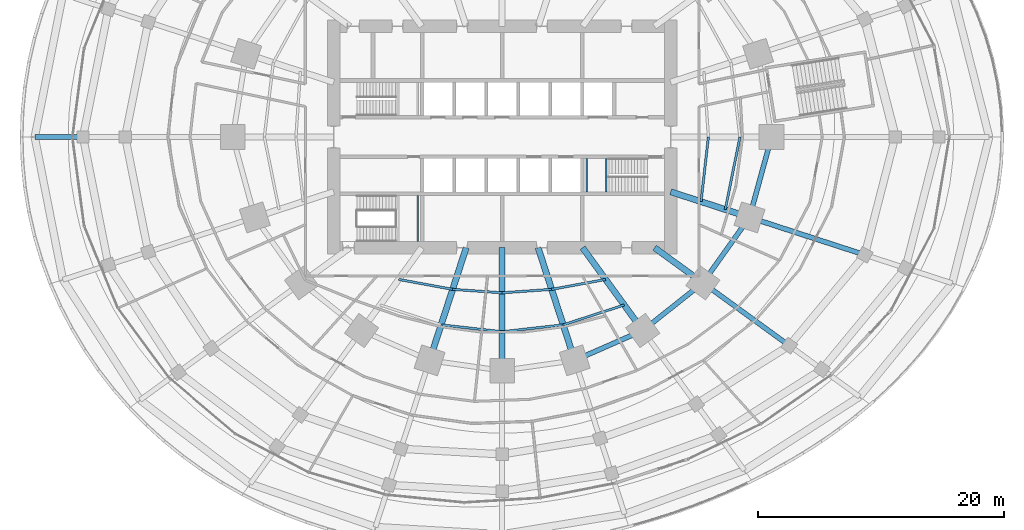
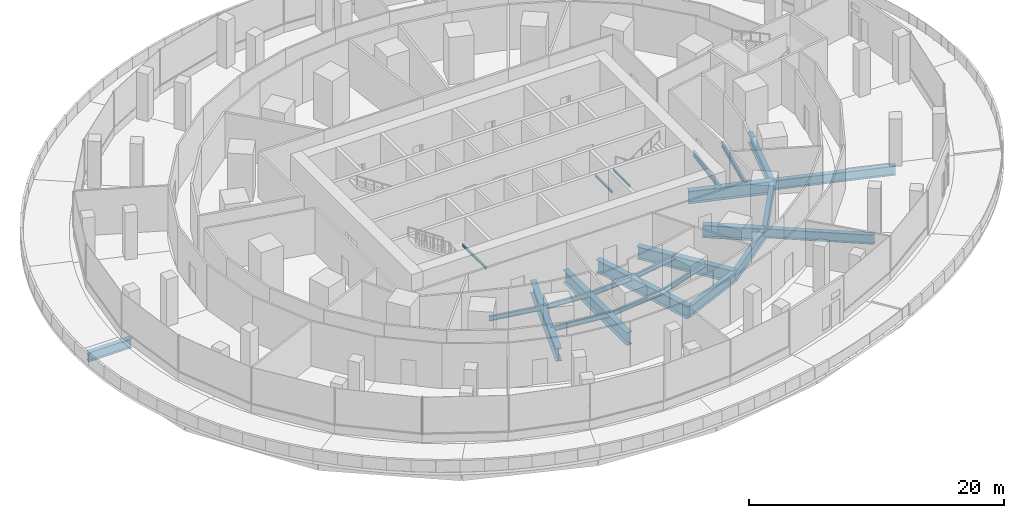
# One storey, part 7 of 27: 25 beams.
"""IFC4 building model written with IfcOpenShell, lengths in metres."""

from ifc_helpers import new_model, si_unit, direction, frame, origin, origin_2d, place, context, subcontext, project, spatial, i_section, extrude, material, material_profile, profile_set, type_object, element, save


model = new_model("IFC4")

# Units and contexts
model_context = context("Model", 3, precision=1e-05, world=origin(), true_north=direction((0.0, 1.0)))
body_context = subcontext(model_context, "Body", "Model", "MODEL_VIEW")
ifc_project = project(units=[si_unit("LENGTHUNIT", "METRE"), si_unit("AREAUNIT", "SQUARE_METRE"), si_unit("VOLUMEUNIT", "CUBIC_METRE"), si_unit("PLANEANGLEUNIT", "RADIAN"), si_unit("MASSUNIT", "GRAM", prefix="KILO")], contexts=[model_context])

# Site, building, storey
site_placement = place(None, origin())
site = spatial("IfcSite", under=ifc_project, at=site_placement, CompositionType="ELEMENT")
building_placement = place(site_placement, origin())
building = spatial("IfcBuilding", under=site, at=building_placement, Name="Marramba Exchange Tower", CompositionType="ELEMENT")
storey_placement = place(building_placement, frame((0.0, 0.0, 10.60009765625)))
storey = spatial("IfcBuildingStorey", under=building, at=storey_placement, Name="L02", CompositionType="ELEMENT", Elevation=10.60009765625)

# Beams
ifc_material_1 = material(Name="Steel AS/NZS 3679.1 grade 300", Category="steel")
ifc_material_profile_1 = material_profile(ifc_material_1, i_section(OverallWidth=0.18994140625, OverallDepth=0.4541015625, WebThickness=0.008544921875, FlangeThickness=0.0126953125, FilletRadius=0.011474609375, at=origin_2d()), Name="460UB67.1")
ifc_profile_set_1 = profile_set([ifc_material_profile_1], Name="Steel AS/NZS 3679.1 grade 300")
beam_type_1 = type_object("IfcBeamType", Name="Floor joist 460UB67.1", PredefinedType="JOIST", material=ifc_profile_set_1)
beam_1_placement = place(storey_placement, frame((-8.41162109375, -11.57763671875, -0.427001953125), z_axis=(0.983455754421, -0.181148500119, 0.0), x_axis=(0.181148500119, 0.983455754421, 0.0)))
element("IfcBeam", 1, at=beam_1_placement, inside=storey, type_object=beam_type_1, Name="Joist L02 bay 14 row 1", PredefinedType="JOIST", context=body_context, shape_type="SweptSolid", body=[
    extrude(i_section(OverallWidth=0.18994140625, OverallDepth=0.4541015625, WebThickness=0.008544921875, FlangeThickness=0.0126953125, FilletRadius=0.011474609375, at=origin_2d()), origin(), (0.0, 0.0, 1.0), 4.4609375),
])
beam_2_placement = place(storey_placement, frame((-4.0244140625, -12.3857421875, -0.427001953125), z_axis=(0.99759625901, -0.069294328838, 0.0), x_axis=(0.069294328838, 0.99759625901, 0.0)))
element("IfcBeam", 2, at=beam_2_placement, inside=storey, type_object=beam_type_1, Name="Joist L02 bay 15 row 1", PredefinedType="JOIST", context=body_context, shape_type="SweptSolid", body=[
    extrude(i_section(OverallWidth=0.18994140625, OverallDepth=0.4541015625, WebThickness=0.008544921875, FlangeThickness=0.0126953125, FilletRadius=0.011474609375, at=origin_2d()), origin(), (0.0, 0.0, 1.0), 4.0341796875),
])
beam_3_placement = place(storey_placement, frame((-4.9619140625, -15.271484375, -0.427001953125), z_axis=(0.993712018573, -0.111966174106, 0.0), x_axis=(0.111966174106, 0.993712018573, 0.0)))
element("IfcBeam", 3, at=beam_3_placement, inside=storey, type_object=beam_type_1, Name="Joist L02 bay 15 row 2", PredefinedType="JOIST", context=body_context, shape_type="SweptSolid", body=[
    extrude(i_section(OverallWidth=0.18994140625, OverallDepth=0.4541015625, WebThickness=0.008544921875, FlangeThickness=0.0126953125, FilletRadius=0.011474609375, at=origin_2d()), origin(), (0.0, 0.0, 1.0), 4.993408203125),
])
beam_4_placement = place(storey_placement, frame((0.0, -12.665283203125, -0.427001953125), z_axis=(0.99759625901, 0.069294328838, 0.0), x_axis=(-0.069294328838, 0.99759625901, 0.0)))
element("IfcBeam", 4, at=beam_4_placement, inside=storey, type_object=beam_type_1, Name="Joist L02 bay 16 row 1", PredefinedType="JOIST", context=body_context, shape_type="SweptSolid", body=[
    extrude(i_section(OverallWidth=0.18994140625, OverallDepth=0.4541015625, WebThickness=0.008544921875, FlangeThickness=0.0126953125, FilletRadius=0.011474609375, at=origin_2d()), origin(), (0.0, 0.0, 1.0), 4.0341796875),
])
beam_5_placement = place(storey_placement, frame((0.0, -15.83056640625, -0.427001953125), z_axis=(0.993712018573, 0.111966174106, 0.0), x_axis=(-0.111966174106, 0.993712018573, 0.0)))
element("IfcBeam", 5, at=beam_5_placement, inside=storey, type_object=beam_type_1, Name="Joist L02 bay 16 row 2", PredefinedType="JOIST", context=body_context, shape_type="SweptSolid", body=[
    extrude(i_section(OverallWidth=0.18994140625, OverallDepth=0.4541015625, WebThickness=0.008544921875, FlangeThickness=0.0126953125, FilletRadius=0.011474609375, at=origin_2d()), origin(), (0.0, 0.0, 1.0), 4.993408203125),
])
beam_6_placement = place(storey_placement, frame((4.0244140625, -12.3857421875, -0.427001953125), z_axis=(0.983455754421, 0.181148500119, 0.0), x_axis=(-0.181148500119, 0.983455754421, 0.0)))
element("IfcBeam", 6, at=beam_6_placement, inside=storey, type_object=beam_type_1, Name="Joist L02 bay 17 row 1", PredefinedType="JOIST", context=body_context, shape_type="SweptSolid", body=[
    extrude(i_section(OverallWidth=0.18994140625, OverallDepth=0.4541015625, WebThickness=0.008544921875, FlangeThickness=0.0126953125, FilletRadius=0.011474609375, at=origin_2d()), origin(), (0.0, 0.0, 1.0), 4.4609375),
])
beam_7_placement = place(storey_placement, frame((4.9619140625, -15.271484375, -0.427001953125), z_axis=(0.950764024931, 0.309915744834, 0.0), x_axis=(-0.309915744834, 0.950764024931, 0.0)))
element("IfcBeam", 7, at=beam_7_placement, inside=storey, type_object=beam_type_1, Name="Joist L02 bay 17 row 2", PredefinedType="JOIST", context=body_context, shape_type="SweptSolid", body=[
    extrude(i_section(OverallWidth=0.18994140625, OverallDepth=0.4541015625, WebThickness=0.008544921875, FlangeThickness=0.0126953125, FilletRadius=0.011474609375, at=origin_2d()), origin(), (0.0, 0.0, 1.0), 5.2158203125),
])
beam_8_placement = place(storey_placement, frame((16.169677734375, -5.25390625, -0.427001953125), z_axis=(0.112888968594, 0.993607609054, 0.0), x_axis=(-0.993607609054, 0.112888968594, 0.0)))
element("IfcBeam", 8, at=beam_8_placement, inside=storey, type_object=beam_type_1, Name="Joist L02 bay 20 row 1", PredefinedType="JOIST", context=body_context, shape_type="SweptSolid", body=[
    extrude(i_section(OverallWidth=0.18994140625, OverallDepth=0.4541015625, WebThickness=0.008544921875, FlangeThickness=0.0126953125, FilletRadius=0.011474609375, at=origin_2d()), origin(), (0.0, 0.0, 1.0), 5.28759765625),
])
beam_9_placement = place(storey_placement, frame((18.1396484375, -5.893798828125, -0.427001953125), z_axis=(0.198489047047, 0.980103105904, 0.0), x_axis=(-0.980103105904, 0.198489047047, 0.0)))
element("IfcBeam", 9, at=beam_9_placement, inside=storey, type_object=beam_type_1, Name="Joist L02 bay 20 row 2", PredefinedType="JOIST", context=body_context, shape_type="SweptSolid", body=[
    extrude(i_section(OverallWidth=0.18994140625, OverallDepth=0.4541015625, WebThickness=0.008544921875, FlangeThickness=0.0126953125, FilletRadius=0.011474609375, at=origin_2d()), origin(), (0.0, 0.0, 1.0), 6.013427734375),
])
ifc_material_2 = material(Name="Steel AS/NZS 3679.2 grade 300", Category="steel")
ifc_material_profile_2 = material_profile(ifc_material_2, i_section(OverallWidth=0.5, OverallDepth=1.199951171875, WebThickness=0.01611328125, FlangeThickness=0.0400390625, at=origin_2d()), Name="1200WB455")
ifc_profile_set_2 = profile_set([ifc_material_profile_2], Name="Steel AS/NZS 3679.2 grade 300")
beam_type_2 = type_object("IfcBeamType", Name="Radial girder 1200WB455", PredefinedType="BEAM", material=ifc_profile_set_2)
beam_10_placement = place(storey_placement, frame((-2.92431640625, -9.0, -0.800048828125), z_axis=(-0.309022428985, -0.951054750466, 0.0), x_axis=(0.951054750466, -0.309022428985, 0.0)))
element("IfcBeam", 10, at=beam_10_placement, inside=storey, type_object=beam_type_2, Name="Radial girder L02 TC15", PredefinedType="BEAM", context=body_context, shape_type="SweptSolid", body=[
    extrude(i_section(OverallWidth=0.5, OverallDepth=1.199951171875, WebThickness=0.01611328125, FlangeThickness=0.0400390625, at=origin_2d()), origin(), (0.0, 0.0, 1.0), 9.628173828125),
])
beam_11_placement = place(storey_placement, frame((0.0, -9.0, -0.800048828125), z_axis=(0.0, -1.0, 0.0), x_axis=(1.0, 0.0, 0.0)))
element("IfcBeam", 11, at=beam_11_placement, inside=storey, type_object=beam_type_2, Name="Radial girder L02 TC16", PredefinedType="BEAM", context=body_context, shape_type="SweptSolid", body=[
    extrude(i_section(OverallWidth=0.5, OverallDepth=1.199951171875, WebThickness=0.01611328125, FlangeThickness=0.0400390625, at=origin_2d()), origin(), (0.0, 0.0, 1.0), 9.99609375),
])
beam_12_placement = place(storey_placement, frame((2.92431640625, -9.0, -0.800048828125), z_axis=(0.309022428985, -0.951054750466, 0.0), x_axis=(0.951054750466, 0.309022428985, 0.0)))
element("IfcBeam", 12, at=beam_12_placement, inside=storey, type_object=beam_type_2, Name="Radial girder L02 TC17", PredefinedType="BEAM", context=body_context, shape_type="SweptSolid", body=[
    extrude(i_section(OverallWidth=0.5, OverallDepth=1.199951171875, WebThickness=0.01611328125, FlangeThickness=0.0400390625, at=origin_2d()), origin(), (0.0, 0.0, 1.0), 9.628173828125),
])
beam_13_placement = place(storey_placement, frame((6.538818359375, -9.0, -0.800048828125), z_axis=(0.587787877172, -0.809015087282, 0.0), x_axis=(0.809015087282, 0.587787877172, 0.0)))
element("IfcBeam", 13, at=beam_13_placement, inside=storey, type_object=beam_type_2, Name="Radial girder L02 TC18", PredefinedType="BEAM", context=body_context, shape_type="SweptSolid", body=[
    extrude(i_section(OverallWidth=0.5, OverallDepth=1.199951171875, WebThickness=0.01611328125, FlangeThickness=0.0400390625, at=origin_2d()), origin(), (0.0, 0.0, 1.0), 8.322021484375),
])
beam_14_placement = place(storey_placement, frame((12.387451171875, -9.0, -0.800048828125), z_axis=(0.809025189606, -0.58777397236, 0.0), x_axis=(0.58777397236, 0.809025189606, 0.0)))
element("IfcBeam", 14, at=beam_14_placement, inside=storey, type_object=beam_type_2, Name="Radial girder L02 TC19", PredefinedType="BEAM", context=body_context, shape_type="SweptSolid", body=[
    extrude(i_section(OverallWidth=0.5, OverallDepth=1.199951171875, WebThickness=0.01611328125, FlangeThickness=0.0400390625, at=origin_2d()), origin(), (0.0, 0.0, 1.0), 4.855224609375),
])
beam_15_placement = place(storey_placement, frame((13.699951171875, -4.451416015625, -0.800048828125), z_axis=(0.951057759669, -0.309013167637, 0.0), x_axis=(0.309013167637, 0.951057759669, 0.0)))
element("IfcBeam", 15, at=beam_15_placement, inside=storey, type_object=beam_type_2, Name="Radial girder L02 TC20", PredefinedType="BEAM", context=body_context, shape_type="SweptSolid", body=[
    extrude(i_section(OverallWidth=0.5, OverallDepth=1.199951171875, WebThickness=0.01611328125, FlangeThickness=0.0400390625, at=origin_2d()), origin(), (0.0, 0.0, 1.0), 6.7392578125),
])
ifc_material_profile_3 = material_profile(ifc_material_2, i_section(OverallWidth=0.39990234375, OverallDepth=0.89990234375, WebThickness=0.01611328125, FlangeThickness=0.031982421875, at=origin_2d()), Name="900WB282")
ifc_profile_set_3 = profile_set([ifc_material_profile_3], Name="Steel AS/NZS 3679.2 grade 300")
beam_type_3 = type_object("IfcBeamType", Name="Radial girder 900WB282", PredefinedType="BEAM", material=ifc_profile_set_3)
beam_16_placement = place(storey_placement, frame((-38.0, 0.0, -0.7001953125), z_axis=(1.0, 0.0, 0.0), x_axis=(0.0, 1.0, 0.0)))
element("IfcBeam", 16, at=beam_16_placement, inside=storey, type_object=beam_type_3, Name="Radial girder L02 P1C11", PredefinedType="BEAM", context=body_context, shape_type="SweptSolid", body=[
    extrude(i_section(OverallWidth=0.39990234375, OverallDepth=0.89990234375, WebThickness=0.01611328125, FlangeThickness=0.031982421875, at=origin_2d()), origin(), (0.0, 0.0, 1.0), 3.919921875),
])
beam_17_placement = place(storey_placement, frame((23.34228515625, -16.959228515625, -0.650146484375), z_axis=(-0.809008266699, 0.587797264721, 0.0), x_axis=(-0.587797264721, -0.809008266699, 0.0)))
element("IfcBeam", 17, at=beam_17_placement, inside=storey, type_object=beam_type_3, Name="Radial girder L02 P3C19", PredefinedType="BEAM", context=body_context, shape_type="SweptSolid", body=[
    extrude(i_section(OverallWidth=0.39990234375, OverallDepth=0.89990234375, WebThickness=0.01611328125, FlangeThickness=0.031982421875, at=origin_2d()), origin(), (0.0, 0.0, 1.0), 8.685791015625),
])
beam_18_placement = place(storey_placement, frame((29.48193359375, -9.579345703125, -0.650146484375), z_axis=(-0.951054092785, 0.309024453071, 0.0), x_axis=(-0.309024453071, -0.951054092785, 0.0)))
element("IfcBeam", 18, at=beam_18_placement, inside=storey, type_object=beam_type_3, Name="Radial girder L02 P3C20", PredefinedType="BEAM", context=body_context, shape_type="SweptSolid", body=[
    extrude(i_section(OverallWidth=0.39990234375, OverallDepth=0.89990234375, WebThickness=0.01611328125, FlangeThickness=0.031982421875, at=origin_2d()), origin(), (0.0, 0.0, 1.0), 9.85498046875),
])
ifc_material_profile_4 = material_profile(ifc_material_2, i_section(OverallWidth=0.39990234375, OverallDepth=1.0, WebThickness=0.01611328125, FlangeThickness=0.031982421875, at=origin_2d()), Name="1000WB322")
ifc_profile_set_4 = profile_set([ifc_material_profile_4], Name="Steel AS/NZS 3679.2 grade 300")
beam_type_4 = type_object("IfcBeamType", Name="Ring beam 1000WB322", PredefinedType="SPANDREL", material=ifc_profile_set_4)
beam_19_placement = place(storey_placement, frame((5.899658203125, -18.156982421875, -0.7001953125), z_axis=(0.915876892158, 0.4014592363, 0.0), x_axis=(-0.4014592363, 0.915876892158, 0.0)))
element("IfcBeam", 19, at=beam_19_placement, inside=storey, type_object=beam_type_4, Name="Ring beam L02 TC17-TC18", PredefinedType="SPANDREL", context=body_context, shape_type="SweptSolid", body=[
    extrude(i_section(OverallWidth=0.39990234375, OverallDepth=1.0, WebThickness=0.01611328125, FlangeThickness=0.031982421875, at=origin_2d()), origin(), (0.0, 0.0, 1.0), 6.038818359375),
])
beam_20_placement = place(storey_placement, frame((11.430419921875, -15.732666015625, -0.7001953125), z_axis=(0.783139438128, 0.621846138887, 0.0), x_axis=(-0.621846138887, 0.783139438128, 0.0)))
element("IfcBeam", 20, at=beam_20_placement, inside=storey, type_object=beam_type_4, Name="Ring beam L02 TC18-TC19", PredefinedType="SPANDREL", context=body_context, shape_type="SweptSolid", body=[
    extrude(i_section(OverallWidth=0.39990234375, OverallDepth=1.0, WebThickness=0.01611328125, FlangeThickness=0.031982421875, at=origin_2d()), origin(), (0.0, 0.0, 1.0), 6.23779296875),
])
beam_21_placement = place(storey_placement, frame((16.3154296875, -11.853759765625, -0.7001953125), z_axis=(0.580637181111, 0.814162430914, 0.0), x_axis=(-0.814162430914, 0.580637181111, 0.0)))
element("IfcBeam", 21, at=beam_21_placement, inside=storey, type_object=beam_type_4, Name="Ring beam L02 TC19-TC20", PredefinedType="SPANDREL", context=body_context, shape_type="SweptSolid", body=[
    extrude(i_section(OverallWidth=0.39990234375, OverallDepth=1.0, WebThickness=0.01611328125, FlangeThickness=0.031982421875, at=origin_2d()), origin(), (0.0, 0.0, 1.0), 6.5341796875),
])
beam_22_placement = place(storey_placement, frame((20.109375, -6.533935546875, -0.7001953125), z_axis=(0.264291166956, 0.964442937176, 0.0), x_axis=(-0.964442937176, 0.264291166956, 0.0)))
element("IfcBeam", 22, at=beam_22_placement, inside=storey, type_object=beam_type_4, Name="Ring beam L02 TC20-TC01", PredefinedType="SPANDREL", context=body_context, shape_type="SweptSolid", body=[
    extrude(i_section(OverallWidth=0.39990234375, OverallDepth=1.0, WebThickness=0.01611328125, FlangeThickness=0.031982421875, at=origin_2d()), origin(), (0.0, 0.0, 1.0), 6.77490234375),
])
ifc_material_profile_5 = material_profile(ifc_material_1, i_section(OverallWidth=0.133056640625, OverallDepth=0.202880859375, WebThickness=0.005859375, FlangeThickness=0.0078125, FilletRadius=0.0087890625, at=origin_2d()), Name="200UB25.4")
ifc_profile_set_5 = profile_set([ifc_material_profile_5], Name="Steel AS/NZS 3679.1 grade 300")
beam_type_5 = type_object("IfcBeamType", Name="Stair landing beam 200UB25.4", PredefinedType="BEAM", material=ifc_profile_set_5)
for number, where, z_axis, x_axis, name in (
    (23, (6.866455078125, -4.449951171875, 1.948486328125), (0.0, 1.0, 0.0), (-1.0, 0.0, 0.0), "Stair landing beam SLB1 ST2 L02 1"),
    (24, (8.46337890625, -4.449951171875, 1.948486328125), (0.0, 1.0, 0.0), (-1.0, 0.0, 0.0), "Stair landing beam SLB1 ST2 L02 2"),
):
    element("IfcBeam", number, at=place(storey_placement, frame(where, z_axis=z_axis, x_axis=x_axis)), inside=storey, type_object=beam_type_5, Name=name, PredefinedType="BEAM", context=body_context, shape_type="SweptSolid", body=[
        extrude(i_section(OverallWidth=0.133056640625, OverallDepth=0.202880859375, WebThickness=0.005859375, FlangeThickness=0.0078125, FilletRadius=0.0087890625, at=origin_2d()), origin(), (0.0, 0.0, 1.0), 2.699951171875),
    ])
beam_23_placement = place(storey_placement, frame((-6.866455078125, -8.5, 1.948486328125), z_axis=(0.0, 1.0, 0.0), x_axis=(-1.0, 0.0, 0.0)))
element("IfcBeam", 25, at=beam_23_placement, inside=storey, type_object=beam_type_5, Name="Stair landing beam SLB1 ST3 L02 2", PredefinedType="BEAM", context=body_context, shape_type="SweptSolid", body=[
    extrude(i_section(OverallWidth=0.133056640625, OverallDepth=0.202880859375, WebThickness=0.005859375, FlangeThickness=0.0078125, FilletRadius=0.0087890625, at=origin_2d()), origin(), (0.0, 0.0, 1.0), 3.75),
])

save(model, "model.ifc")
